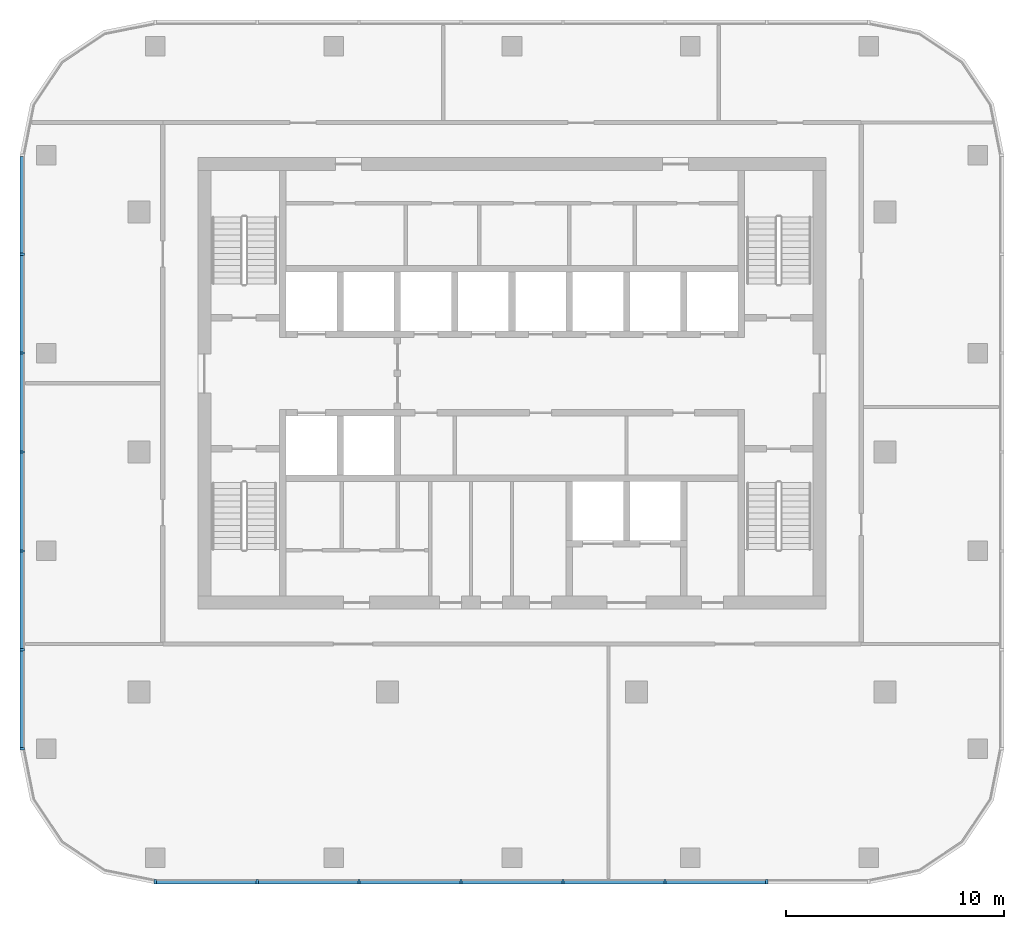
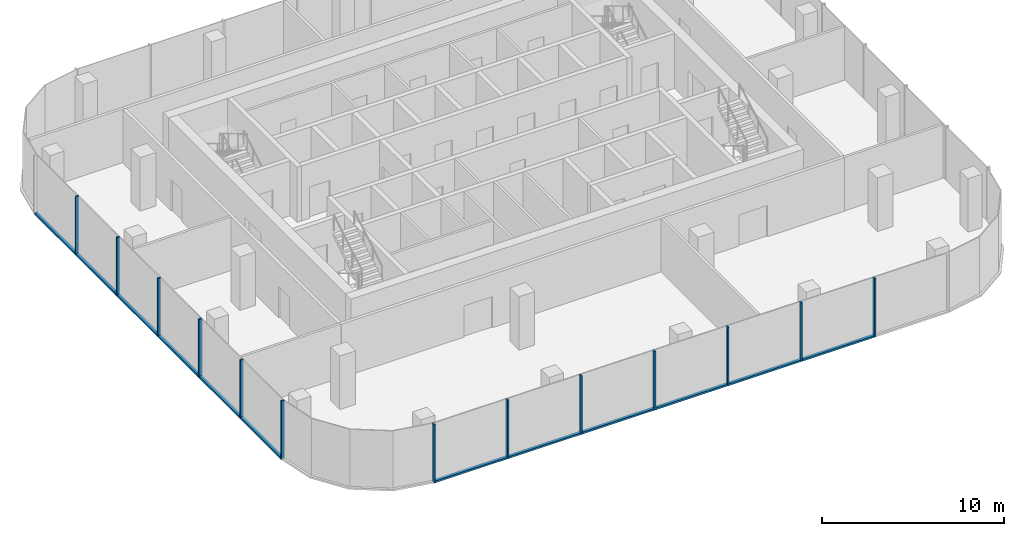
# One storey, part 2 of 9: 25 members, 2 elements without a shape of their own.
"""IFC4 building model written with IfcOpenShell, lengths in metres."""

import ifcopenshell
import ifcopenshell.guid

model = None  # the IFC model being written
_history = None  # IfcOwnerHistory: only IFC2X3 demands one
_inside = {}  # id of a spatial element -> (the spatial element, [elements in it])
_under = {}  # id of a project, library or spatial element -> (it, [spatial elements below it])
_declared = {}  # id of a project -> (the project, [libraries it declares])
_typed = {}  # id of a type object -> (the type object, [elements of that type])
_made_of = {}  # id of a material, layer set ... -> (it, [elements and type objects made of it])


def new_model(schema):
    """Start an empty IFC model of exactly this schema.

    Asked for "IFC4X3", IfcOpenShell would pick the latest addendum, in which some entities
    have other attributes; the version numbers below select the first issue.
    IFC2X3 requires an IfcOwnerHistory on every rooted entity: one is made here for all.
    """
    global model, _history
    if schema == "IFC4X3":
        model = ifcopenshell.file(schema_version=(4, 3, 0, 0))
    else:
        model = ifcopenshell.file(schema=schema)
    _inside.clear()
    _under.clear()
    _declared.clear()
    _typed.clear()
    _made_of.clear()
    _history = None
    if model.schema == "IFC2X3":
        org = make("IfcOrganization", Name="unknown")
        user = make(
            "IfcPersonAndOrganization",
            ThePerson=make("IfcPerson", FamilyName="unknown"),
            TheOrganization=org,
        )
        app = make(
            "IfcApplication",
            ApplicationDeveloper=org,
            Version="unknown",
            ApplicationFullName="unknown",
            ApplicationIdentifier="unknown",
        )
        _history = make(
            "IfcOwnerHistory",
            OwningUser=user,
            OwningApplication=app,
            ChangeAction="ADDED",
            CreationDate=0,
        )
    return model


def make(cls, **values):
    """One entity of the class cls with the attributes given. An attribute that is None is left unset."""
    return model.create_entity(
        cls, **{name: value for name, value in values.items() if value is not None}
    )


def rooted(cls, **values):
    """An entity with a GlobalId (a new one), such as an element, a storey or a relation."""
    return make(cls, GlobalId=ifcopenshell.guid.new(), OwnerHistory=_history, **values)


def si_unit(unit_type, name, prefix=None):
    """IfcSIUnit, for example si_unit("LENGTHUNIT", "METRE", prefix="MILLI")."""
    return make("IfcSIUnit", UnitType=unit_type, Prefix=prefix, Name=name)


def assignment(units):
    """IfcUnitAssignment: the units of a project."""
    return None if units is None else make("IfcUnitAssignment", Units=units)


def point(xyz):
    """IfcCartesianPoint."""
    return None if xyz is None else make("IfcCartesianPoint", Coordinates=xyz)


def direction(xyz):
    """IfcDirection."""
    return None if xyz is None else make("IfcDirection", DirectionRatios=xyz)


def frame(location, z_axis=None, x_axis=None):
    """IfcAxis2Placement3D, a coordinate frame: its origin and axes. An axis left out is left unset."""
    return make(
        "IfcAxis2Placement3D",
        Location=point(location),
        Axis=direction(z_axis),
        RefDirection=direction(x_axis),
    )


def frame_2d(location, x_axis=None):
    """IfcAxis2Placement2D, a coordinate frame in the plane: its origin and x axis."""
    return make(
        "IfcAxis2Placement2D", Location=point(location), RefDirection=direction(x_axis)
    )


def origin():
    """The frame at (0, 0, 0) with its axes left unset."""
    return frame((0.0, 0.0, 0.0))


def origin_2d():
    """The frame at (0, 0) in the plane with its x axis left unset."""
    return frame_2d((0.0, 0.0))


def place(relative_to, where):
    """IfcLocalPlacement: puts the frame where relative to a parent placement (None: the world)."""
    return make(
        "IfcLocalPlacement", PlacementRelTo=relative_to, RelativePlacement=where
    )


def context(
    kind, dimensions, precision=None, world=None, true_north=None, identifier=None
):
    """IfcGeometricRepresentationContext, for example the 3D "Model" context."""
    return make(
        "IfcGeometricRepresentationContext",
        ContextIdentifier=identifier,
        ContextType=kind,
        CoordinateSpaceDimension=dimensions,
        Precision=precision,
        WorldCoordinateSystem=world,
        TrueNorth=true_north,
    )


def subcontext(parent, identifier, kind, view, scale=None):
    """IfcGeometricRepresentationSubContext, for example "Body" below "Model"."""
    return make(
        "IfcGeometricRepresentationSubContext",
        ContextIdentifier=identifier,
        ContextType=kind,
        ParentContext=parent,
        TargetScale=scale,
        TargetView=view,
    )


def project(units=None, contexts=None):
    """IfcProject with its units and contexts."""
    return rooted(
        "IfcProject",
        Name="project",
        RepresentationContexts=contexts,
        UnitsInContext=assignment(units),
    )


def spatial(cls, under=None, at=None, **own):
    """A site, building, storey or space (cls), placed at a placement, below another one or the project."""
    s = rooted(cls, ObjectPlacement=at, **own)
    if under is not None:
        _under.setdefault(under.id(), (under, []))[1].append(s)
    return s


def profile(cls, at=None, kind="AREA", **sizes):
    """A parametric profile (cls). Its sizes go by their IFC names, for example OverallWidth=200.0."""
    return make(cls, ProfileType=kind, Position=at, **sizes)


def rectangle(**sizes):
    """IfcRectangleProfileDef."""
    return profile("IfcRectangleProfileDef", **sizes)


def extrude(swept, where, along, depth):
    """IfcExtrudedAreaSolid: the profile swept, set in the frame where, extruded along a direction by depth."""
    return make(
        "IfcExtrudedAreaSolid",
        SweptArea=swept,
        Position=where,
        ExtrudedDirection=direction(along),
        Depth=depth,
    )


def shape(context_of_items, identifier, shape_type, items):
    """IfcShapeRepresentation: the items that make up one representation, for example the "Body"."""
    return make(
        "IfcShapeRepresentation",
        ContextOfItems=context_of_items,
        RepresentationIdentifier=identifier,
        RepresentationType=shape_type,
        Items=items,
    )


def material(Name=None, Category=None):
    """IfcMaterial."""
    return make("IfcMaterial", Name=Name, Category=Category)


def material_profile(
    of_material, cross_section, Name=None, Category=None, Priority=None
):
    """IfcMaterialProfile: a cross section and its material."""
    return make(
        "IfcMaterialProfile",
        Name=Name,
        Material=of_material,
        Profile=cross_section,
        Priority=Priority,
        Category=Category,
    )


def profile_set(profiles, Name=None, composite=None):
    """IfcMaterialProfileSet."""
    return make(
        "IfcMaterialProfileSet",
        Name=Name,
        MaterialProfiles=profiles,
        CompositeProfile=composite,
    )


def made_of(thing, what):
    """Note that an element or type object is made of a material, layer set ...; save() writes the relation."""
    if what is not None:
        _made_of.setdefault(what.id(), (what, []))[1].append(thing)
    return thing


def type_object(cls, material=None, **own):
    """A type object (cls), such as IfcWallType, which elements share."""
    return made_of(rooted(cls, **own), material)


def element(
    cls,
    number,
    at=None,
    inside=None,
    cuts=None,
    type_object=None,
    material=None,
    context=None,
    identifier="Body",
    shape_type=None,
    held_by="IfcProductDefinitionShape",
    body=None,
    shapes=None,
    **own,
):
    """One element of the class cls, such as IfcWall. Its Tag is "e" and its number.

    at: its placement. inside: the storey or other place that contains it. cuts: it is an
    opening in that element (IfcRelVoidsElement). A single representation is given by context,
    identifier, shape_type and body (its items); several are given by shapes. held_by: the class
    of the entity that holds the representations. save() writes the other relations.
    """
    e = rooted(cls, Tag="e%d" % number, ObjectPlacement=at, **own)
    if body is not None:
        shapes = [shape(context, identifier, shape_type, body)]
    if shapes is not None:
        e.Representation = make(held_by, Representations=shapes)
    if inside is not None:
        _inside.setdefault(inside.id(), (inside, []))[1].append(e)
    if cuts is not None:
        rooted(
            "IfcRelVoidsElement", RelatingBuildingElement=cuts, RelatedOpeningElement=e
        )
    if type_object is not None:
        _typed.setdefault(type_object.id(), (type_object, []))[1].append(e)
    return made_of(e, material)


def aggregate(whole, parts):
    """IfcRelAggregates: a whole, such as a stair, and the parts it consists of."""
    return rooted("IfcRelAggregates", RelatingObject=whole, RelatedObjects=parts)


def save(model, path):
    """Write the relations noted so far, then the file.

    IfcRelAggregates (storeys below a building ...), IfcRelContainedInSpatialStructure (elements
    in a storey), IfcRelDefinesByType, IfcRelAssociatesMaterial and IfcRelDeclares: one each for
    every whole, place, type object, material and project.
    """
    for whole, parts in _under.values():
        aggregate(whole, parts)
    for where, things in _inside.values():
        rooted(
            "IfcRelContainedInSpatialStructure",
            RelatedElements=things,
            RelatingStructure=where,
        )
    for kind, things in _typed.values():
        rooted("IfcRelDefinesByType", RelatedObjects=things, RelatingType=kind)
    for what, things in _made_of.values():
        rooted("IfcRelAssociatesMaterial", RelatedObjects=things, RelatingMaterial=what)
    for by, libraries in _declared.values():
        rooted("IfcRelDeclares", RelatingContext=by, RelatedDefinitions=libraries)
    model.write(path)


model = new_model("IFC4")

# Units and contexts
model_context = context("Model", 3, precision=1e-05, world=origin(), true_north=direction((0.0, 1.0)))
body_context = subcontext(model_context, "Body", "Model", "MODEL_VIEW")
ifc_project = project(units=[si_unit("LENGTHUNIT", "METRE"), si_unit("AREAUNIT", "SQUARE_METRE"), si_unit("VOLUMEUNIT", "CUBIC_METRE"), si_unit("PLANEANGLEUNIT", "RADIAN"), si_unit("MASSUNIT", "GRAM", prefix="KILO")], contexts=[model_context])

# Site, building, storey
site_placement = place(None, origin())
site = spatial("IfcSite", under=ifc_project, at=site_placement, CompositionType="ELEMENT")
building_placement = place(site_placement, origin())
building = spatial("IfcBuilding", under=site, at=building_placement, Name="Mopane Tessera Tower", CompositionType="ELEMENT")
storey_placement = place(building_placement, frame((0.0, 0.0, 353.39990234375)))
storey = spatial("IfcBuildingStorey", under=building, at=storey_placement, Name="L77", CompositionType="ELEMENT", Elevation=353.39990234375)

# Curtain wall, members
ifc_material_1 = material(Name="Aluminium frame", Category="aluminium")
curtain_wall_type = type_object("IfcCurtainWallType", Name="Unitised curtain wall", PredefinedType="NOTDEFINED", material=ifc_material_1)
curtain_wall_1_placement = place(storey_placement, origin())
curtain_wall_1 = element("IfcCurtainWall", 1, at=curtain_wall_1_placement, inside=storey, type_object=curtain_wall_type, Name="e:cw:L77:S:0", PredefinedType="NOTDEFINED")
ifc_material_2 = material(Name="Aluminium frame", Category="aluminium")
ifc_material_profile_1 = material_profile(ifc_material_2, rectangle(XDim=0.10009765625, YDim=0.199951171875, at=origin_2d()))
ifc_profile_set_1 = profile_set([ifc_material_profile_1], Name="Aluminium frame")
member_type_1 = type_object("IfcMemberType", Name="Aluminium mullion 100 x 200", PredefinedType="MULLION", material=ifc_profile_set_1)
member_1_placement = place(storey_placement, frame((-16.35009765625, -19.699951171875, -0.349853515625), z_axis=(0.0, 0.0, 1.0), x_axis=(1.0, 0.0, 0.0)))
member_1 = element("IfcMember", 2, at=member_1_placement, type_object=member_type_1, Name="e:cw:L77:S:0:mu0", PredefinedType="MULLION", context=body_context, shape_type="SweptSolid", body=[
    extrude(rectangle(XDim=0.10009765625, YDim=0.199951171875, at=origin_2d()), origin(), (0.0, 0.0, 1.0), 3.949951171875),
])
member_2_placement = place(storey_placement, frame((-11.678466796875, -19.699951171875, -0.349853515625), z_axis=(0.0, 0.0, 1.0), x_axis=(1.0, 0.0, 0.0)))
member_2 = element("IfcMember", 3, at=member_2_placement, type_object=member_type_1, Name="e:cw:L77:S:0:mu1", PredefinedType="MULLION", context=body_context, shape_type="SweptSolid", body=[
    extrude(rectangle(XDim=0.10009765625, YDim=0.199951171875, at=origin_2d()), origin(), (0.0, 0.0, 1.0), 3.949951171875),
])
member_3_placement = place(storey_placement, frame((-7.007080078125, -19.699951171875, -0.349853515625), z_axis=(0.0, 0.0, 1.0), x_axis=(1.0, 0.0, 0.0)))
member_3 = element("IfcMember", 4, at=member_3_placement, type_object=member_type_1, Name="e:cw:L77:S:0:mu2", PredefinedType="MULLION", context=body_context, shape_type="SweptSolid", body=[
    extrude(rectangle(XDim=0.10009765625, YDim=0.199951171875, at=origin_2d()), origin(), (0.0, 0.0, 1.0), 3.949951171875),
])
member_4_placement = place(storey_placement, frame((-2.335693359375, -19.699951171875, -0.349853515625), z_axis=(0.0, 0.0, 1.0), x_axis=(1.0, 0.0, 0.0)))
member_4 = element("IfcMember", 5, at=member_4_placement, type_object=member_type_1, Name="e:cw:L77:S:0:mu3", PredefinedType="MULLION", context=body_context, shape_type="SweptSolid", body=[
    extrude(rectangle(XDim=0.10009765625, YDim=0.199951171875, at=origin_2d()), origin(), (0.0, 0.0, 1.0), 3.949951171875),
])
member_5_placement = place(storey_placement, frame((2.335693359375, -19.699951171875, -0.349853515625), z_axis=(0.0, 0.0, 1.0), x_axis=(1.0, 0.0, 0.0)))
member_5 = element("IfcMember", 6, at=member_5_placement, type_object=member_type_1, Name="e:cw:L77:S:0:mu4", PredefinedType="MULLION", context=body_context, shape_type="SweptSolid", body=[
    extrude(rectangle(XDim=0.10009765625, YDim=0.199951171875, at=origin_2d()), origin(), (0.0, 0.0, 1.0), 3.949951171875),
])
member_6_placement = place(storey_placement, frame((7.007080078125, -19.699951171875, -0.349853515625), z_axis=(0.0, 0.0, 1.0), x_axis=(1.0, 0.0, 0.0)))
member_6 = element("IfcMember", 7, at=member_6_placement, type_object=member_type_1, Name="e:cw:L77:S:0:mu5", PredefinedType="MULLION", context=body_context, shape_type="SweptSolid", body=[
    extrude(rectangle(XDim=0.10009765625, YDim=0.199951171875, at=origin_2d()), origin(), (0.0, 0.0, 1.0), 3.949951171875),
])
member_7_placement = place(storey_placement, frame((11.678466796875, -19.699951171875, -0.349853515625), z_axis=(0.0, 0.0, 1.0), x_axis=(1.0, 0.0, 0.0)))
member_7 = element("IfcMember", 8, at=member_7_placement, type_object=member_type_1, Name="e:cw:L77:S:0:mu6", PredefinedType="MULLION", context=body_context, shape_type="SweptSolid", body=[
    extrude(rectangle(XDim=0.10009765625, YDim=0.199951171875, at=origin_2d()), origin(), (0.0, 0.0, 1.0), 3.949951171875),
])

curtain_wall_2_placement = place(storey_placement, origin())
curtain_wall_2 = element("IfcCurtainWall", 9, at=curtain_wall_2_placement, inside=storey, type_object=curtain_wall_type, Name="e:cw:L77:W:0", PredefinedType="NOTDEFINED")
member_8_placement = place(storey_placement, frame((-22.449951171875, 9.066650390625, -0.349853515625), z_axis=(0.0, 0.0, 1.0), x_axis=(0.0, -1.0, 0.0)))
member_8 = element("IfcMember", 10, at=member_8_placement, type_object=member_type_1, Name="e:cw:L77:W:0:mu1", PredefinedType="MULLION", context=body_context, shape_type="SweptSolid", body=[
    extrude(rectangle(XDim=0.10009765625, YDim=0.199951171875, at=origin_2d()), origin(), (0.0, 0.0, 1.0), 3.949951171875),
])
member_9_placement = place(storey_placement, frame((-22.449951171875, 4.533447265625, -0.349853515625), z_axis=(0.0, 0.0, 1.0), x_axis=(0.0, -1.0, 0.0)))
member_9 = element("IfcMember", 11, at=member_9_placement, type_object=member_type_1, Name="e:cw:L77:W:0:mu2", PredefinedType="MULLION", context=body_context, shape_type="SweptSolid", body=[
    extrude(rectangle(XDim=0.10009765625, YDim=0.199951171875, at=origin_2d()), origin(), (0.0, 0.0, 1.0), 3.949951171875),
])
member_10_placement = place(storey_placement, frame((-22.449951171875, 0.0, -0.349853515625), z_axis=(0.0, 0.0, 1.0), x_axis=(0.0, -1.0, 0.0)))
member_10 = element("IfcMember", 12, at=member_10_placement, type_object=member_type_1, Name="e:cw:L77:W:0:mu3", PredefinedType="MULLION", context=body_context, shape_type="SweptSolid", body=[
    extrude(rectangle(XDim=0.10009765625, YDim=0.199951171875, at=origin_2d()), origin(), (0.0, 0.0, 1.0), 3.949951171875),
])
member_11_placement = place(storey_placement, frame((-22.449951171875, -4.533447265625, -0.349853515625), z_axis=(0.0, 0.0, 1.0), x_axis=(0.0, -1.0, 0.0)))
member_11 = element("IfcMember", 13, at=member_11_placement, type_object=member_type_1, Name="e:cw:L77:W:0:mu4", PredefinedType="MULLION", context=body_context, shape_type="SweptSolid", body=[
    extrude(rectangle(XDim=0.10009765625, YDim=0.199951171875, at=origin_2d()), origin(), (0.0, 0.0, 1.0), 3.949951171875),
])
member_12_placement = place(storey_placement, frame((-22.449951171875, -9.066650390625, -0.349853515625), z_axis=(0.0, 0.0, 1.0), x_axis=(0.0, -1.0, 0.0)))
member_12 = element("IfcMember", 14, at=member_12_placement, type_object=member_type_1, Name="e:cw:L77:W:0:mu5", PredefinedType="MULLION", context=body_context, shape_type="SweptSolid", body=[
    extrude(rectangle(XDim=0.10009765625, YDim=0.199951171875, at=origin_2d()), origin(), (0.0, 0.0, 1.0), 3.949951171875),
])
member_13_placement = place(storey_placement, frame((-22.449951171875, -13.60009765625, -0.349853515625), z_axis=(0.0, 0.0, 1.0), x_axis=(0.0, -1.0, 0.0)))
member_13 = element("IfcMember", 15, at=member_13_placement, type_object=member_type_1, Name="e:cw:L77:W:0:mu6", PredefinedType="MULLION", context=body_context, shape_type="SweptSolid", body=[
    extrude(rectangle(XDim=0.10009765625, YDim=0.199951171875, at=origin_2d()), origin(), (0.0, 0.0, 1.0), 3.949951171875),
])

# Member
ifc_material_3 = material(Name="Aluminium frame", Category="aluminium")
ifc_material_profile_2 = material_profile(ifc_material_3, rectangle(XDim=0.199951171875, YDim=0.1201171875, at=origin_2d()))
ifc_profile_set_2 = profile_set([ifc_material_profile_2], Name="Aluminium frame")
member_type_2 = type_object("IfcMemberType", Name="Aluminium transom 200 x 120", PredefinedType="USERDEFINED", material=ifc_profile_set_2)
member_14_placement = place(storey_placement, frame((-16.300048828125, -19.699951171875, -0.289794921875), z_axis=(1.0, 0.0, 0.0), x_axis=(0.0, 1.0, 0.0)))
member_14 = element("IfcMember", 16, at=member_14_placement, type_object=member_type_2, Name="e:cw:L77:S:0:tr0", ObjectType="TRANSOM", PredefinedType="USERDEFINED", context=body_context, shape_type="SweptSolid", body=[
    extrude(rectangle(XDim=0.199951171875, YDim=0.1201171875, at=origin_2d()), origin(), (0.0, 0.0, 1.0), 4.571533203125),
])

member_15_placement = place(storey_placement, frame((-11.628662109375, -19.699951171875, -0.289794921875), z_axis=(1.0, 0.0, 0.0), x_axis=(0.0, 1.0, 0.0)))
member_15 = element("IfcMember", 17, at=member_15_placement, type_object=member_type_2, Name="e:cw:L77:S:0:tr1", ObjectType="TRANSOM", PredefinedType="USERDEFINED", context=body_context, shape_type="SweptSolid", body=[
    extrude(rectangle(XDim=0.199951171875, YDim=0.1201171875, at=origin_2d()), origin(), (0.0, 0.0, 1.0), 4.571533203125),
])

member_16_placement = place(storey_placement, frame((-6.95703125, -19.699951171875, -0.289794921875), z_axis=(1.0, 0.0, 0.0), x_axis=(0.0, 1.0, 0.0)))
member_16 = element("IfcMember", 18, at=member_16_placement, type_object=member_type_2, Name="e:cw:L77:S:0:tr2", ObjectType="TRANSOM", PredefinedType="USERDEFINED", context=body_context, shape_type="SweptSolid", body=[
    extrude(rectangle(XDim=0.199951171875, YDim=0.1201171875, at=origin_2d()), origin(), (0.0, 0.0, 1.0), 4.5712890625),
])

member_17_placement = place(storey_placement, frame((-2.28564453125, -19.699951171875, -0.289794921875), z_axis=(1.0, 0.0, 0.0), x_axis=(0.0, 1.0, 0.0)))
member_17 = element("IfcMember", 19, at=member_17_placement, type_object=member_type_2, Name="e:cw:L77:S:0:tr3", ObjectType="TRANSOM", PredefinedType="USERDEFINED", context=body_context, shape_type="SweptSolid", body=[
    extrude(rectangle(XDim=0.199951171875, YDim=0.1201171875, at=origin_2d()), origin(), (0.0, 0.0, 1.0), 4.5712890625),
])

member_18_placement = place(storey_placement, frame((2.3857421875, -19.699951171875, -0.289794921875), z_axis=(1.0, 0.0, 0.0), x_axis=(0.0, 1.0, 0.0)))
member_18 = element("IfcMember", 20, at=member_18_placement, type_object=member_type_2, Name="e:cw:L77:S:0:tr4", ObjectType="TRANSOM", PredefinedType="USERDEFINED", context=body_context, shape_type="SweptSolid", body=[
    extrude(rectangle(XDim=0.199951171875, YDim=0.1201171875, at=origin_2d()), origin(), (0.0, 0.0, 1.0), 4.5712890625),
])

member_19_placement = place(storey_placement, frame((7.05712890625, -19.699951171875, -0.289794921875), z_axis=(1.0, 0.0, 0.0), x_axis=(0.0, 1.0, 0.0)))
member_19 = element("IfcMember", 21, at=member_19_placement, type_object=member_type_2, Name="e:cw:L77:S:0:tr5", ObjectType="TRANSOM", PredefinedType="USERDEFINED", context=body_context, shape_type="SweptSolid", body=[
    extrude(rectangle(XDim=0.199951171875, YDim=0.1201171875, at=origin_2d()), origin(), (0.0, 0.0, 1.0), 4.571533203125),
])

aggregate(curtain_wall_1, [member_1, member_2, member_3, member_4, member_5, member_6, member_7, member_14, member_15, member_16, member_17, member_18, member_19])

member_20_placement = place(storey_placement, frame((-22.449951171875, 13.550048828125, -0.289794921875), z_axis=(0.0, -1.0, 0.0), x_axis=(1.0, 0.0, 0.0)))
member_20 = element("IfcMember", 22, at=member_20_placement, type_object=member_type_2, Name="e:cw:L77:W:0:tr0", ObjectType="TRANSOM", PredefinedType="USERDEFINED", context=body_context, shape_type="SweptSolid", body=[
    extrude(rectangle(XDim=0.199951171875, YDim=0.1201171875, at=origin_2d()), origin(), (0.0, 0.0, 1.0), 4.433349609375),
])

member_21_placement = place(storey_placement, frame((-22.449951171875, 9.0166015625, -0.289794921875), z_axis=(0.0, -1.0, 0.0), x_axis=(1.0, 0.0, 0.0)))
member_21 = element("IfcMember", 23, at=member_21_placement, type_object=member_type_2, Name="e:cw:L77:W:0:tr1", ObjectType="TRANSOM", PredefinedType="USERDEFINED", context=body_context, shape_type="SweptSolid", body=[
    extrude(rectangle(XDim=0.199951171875, YDim=0.1201171875, at=origin_2d()), origin(), (0.0, 0.0, 1.0), 4.433349609375),
])

member_22_placement = place(storey_placement, frame((-22.449951171875, 4.4833984375, -0.289794921875), z_axis=(0.0, -1.0, 0.0), x_axis=(1.0, 0.0, 0.0)))
member_22 = element("IfcMember", 24, at=member_22_placement, type_object=member_type_2, Name="e:cw:L77:W:0:tr2", ObjectType="TRANSOM", PredefinedType="USERDEFINED", context=body_context, shape_type="SweptSolid", body=[
    extrude(rectangle(XDim=0.199951171875, YDim=0.1201171875, at=origin_2d()), origin(), (0.0, 0.0, 1.0), 4.433349609375),
])

member_23_placement = place(storey_placement, frame((-22.449951171875, -0.050048828125, -0.289794921875), z_axis=(0.0, -1.0, 0.0), x_axis=(1.0, 0.0, 0.0)))
member_23 = element("IfcMember", 25, at=member_23_placement, type_object=member_type_2, Name="e:cw:L77:W:0:tr3", ObjectType="TRANSOM", PredefinedType="USERDEFINED", context=body_context, shape_type="SweptSolid", body=[
    extrude(rectangle(XDim=0.199951171875, YDim=0.1201171875, at=origin_2d()), origin(), (0.0, 0.0, 1.0), 4.433349609375),
])

member_24_placement = place(storey_placement, frame((-22.449951171875, -4.583251953125, -0.289794921875), z_axis=(0.0, -1.0, 0.0), x_axis=(1.0, 0.0, 0.0)))
member_24 = element("IfcMember", 26, at=member_24_placement, type_object=member_type_2, Name="e:cw:L77:W:0:tr4", ObjectType="TRANSOM", PredefinedType="USERDEFINED", context=body_context, shape_type="SweptSolid", body=[
    extrude(rectangle(XDim=0.199951171875, YDim=0.1201171875, at=origin_2d()), origin(), (0.0, 0.0, 1.0), 4.433349609375),
])

member_25_placement = place(storey_placement, frame((-22.449951171875, -9.11669921875, -0.289794921875), z_axis=(0.0, -1.0, 0.0), x_axis=(1.0, 0.0, 0.0)))
member_25 = element("IfcMember", 27, at=member_25_placement, type_object=member_type_2, Name="e:cw:L77:W:0:tr5", ObjectType="TRANSOM", PredefinedType="USERDEFINED", context=body_context, shape_type="SweptSolid", body=[
    extrude(rectangle(XDim=0.199951171875, YDim=0.1201171875, at=origin_2d()), origin(), (0.0, 0.0, 1.0), 4.433349609375),
])

aggregate(curtain_wall_2, [member_8, member_9, member_10, member_11, member_12, member_13, member_20, member_21, member_22, member_23, member_24, member_25])

save(model, "model.ifc")
